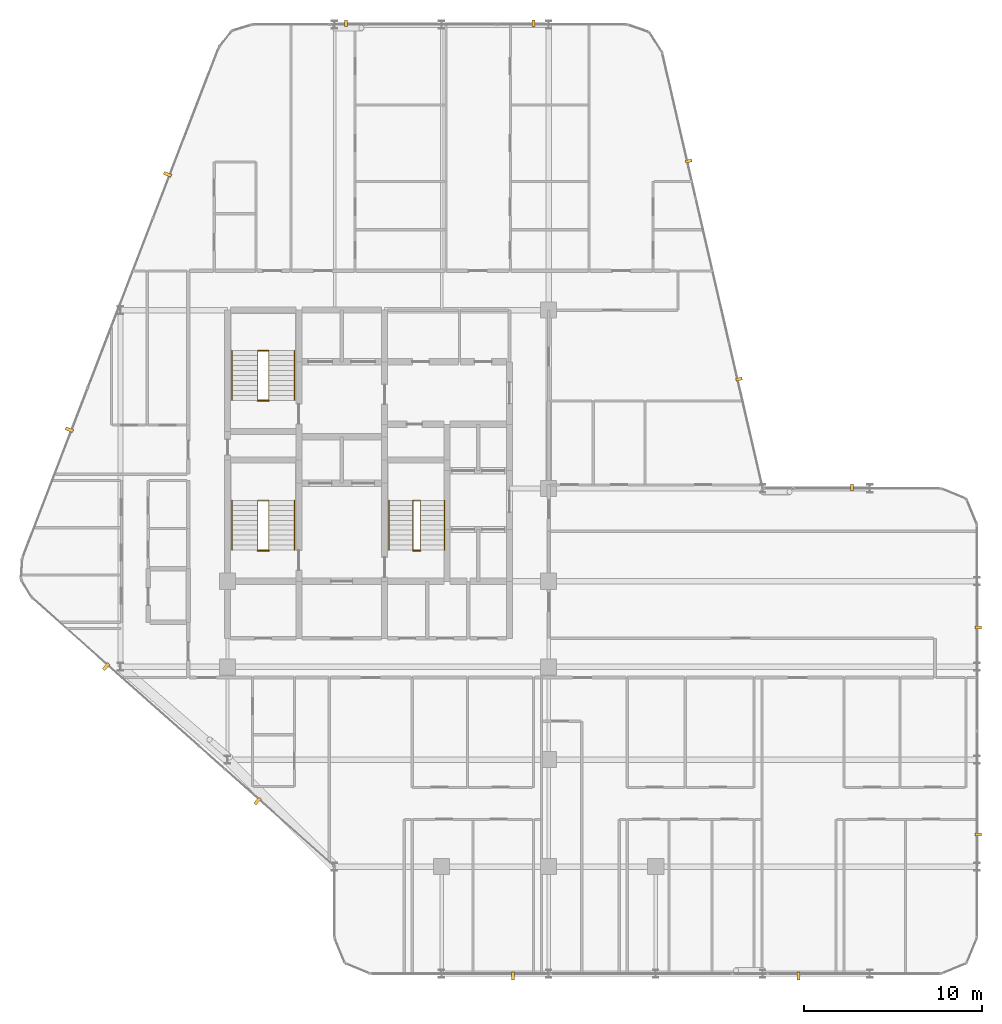
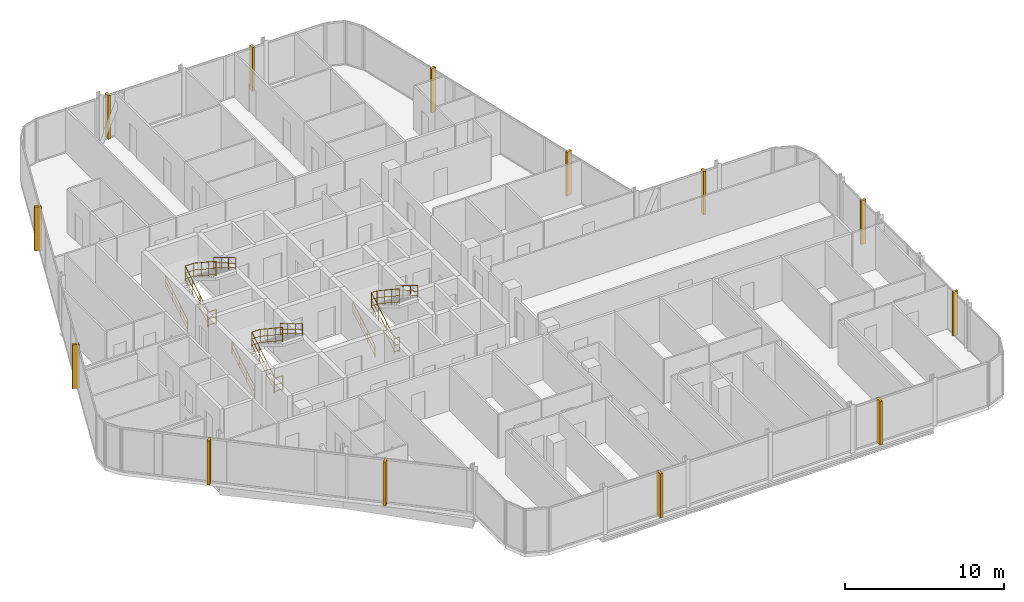
# One storey, part 29 of 29: 13 coverings, 12 railings.
"""IFC4 building model written with IfcOpenShell, lengths in metres."""

from ifc_helpers import new_model, si_unit, direction, frame, origin, origin_2d, place, context, subcontext, project, spatial, rectangle, circle, extrude, material, layer, layer_set, type_object, element, save


model = new_model("IFC4")

# Units and contexts
model_context = context("Model", 3, precision=1e-05, world=origin(), true_north=direction((0.0, 1.0)))
body_context = subcontext(model_context, "Body", "Model", "MODEL_VIEW")
ifc_project = project(units=[si_unit("LENGTHUNIT", "METRE"), si_unit("AREAUNIT", "SQUARE_METRE"), si_unit("VOLUMEUNIT", "CUBIC_METRE"), si_unit("PLANEANGLEUNIT", "RADIAN"), si_unit("MASSUNIT", "GRAM", prefix="KILO")], contexts=[model_context])

# Site, building, storey
site_placement = place(None, origin())
site = spatial("IfcSite", under=ifc_project, at=site_placement, CompositionType="ELEMENT")
building_placement = place(site_placement, origin())
building = spatial("IfcBuilding", under=site, at=building_placement, Name="Keshet Zoharim Tower", CompositionType="ELEMENT")
storey_placement = place(building_placement, frame((0.0, 0.0, 180.199951171875)))
storey = spatial("IfcBuildingStorey", under=building, at=storey_placement, Name="L44", CompositionType="ELEMENT", Elevation=180.199951171875)

# Coverings
ifc_material_1 = material(Name="Concrete C50/60 precast", Category="concrete")
covering_type_1 = type_object("IfcCoveringType", Name="FIN-SOL-360", PredefinedType="CLADDING", material=ifc_material_1)
for number, where, z_axis, x_axis, name in (
    (1, (57.080078125, 20.10009765625, 0.0), (0.0, 0.0, 1.0), (0.0, -1.0, 0.0), "L44 Vertical Precast Solar Fin 01"),
    (2, (57.080078125, 8.5, 0.0), (0.0, 0.0, 1.0), (0.0, -1.0, 0.0), "L44 Vertical Precast Solar Fin 02"),
    (3, (21.633056640625, 53.97998046875, 0.0), (0.0, 0.0, 1.0), (1.0, 0.0, 0.0), "L44 Vertical Precast Solar Fin 09"),
    (4, (32.14990234375, 53.97998046875, 0.0), (0.0, 0.0, 1.0), (1.0, 0.0, 0.0), "L44 Vertical Precast Solar Fin 10"),
    (5, (40.845947265625, 46.2548828125, 0.0), (0.0, 0.0, 1.0), (0.224847864369, -0.974393882313, 0.0), "L44 Vertical Precast Solar Fin 11"),
    (6, (43.6669921875, 34.030029296875, 0.0), (0.0, 0.0, 1.0), (0.224847864369, -0.974393882313, 0.0), "L44 Vertical Precast Solar Fin 12"),
    (7, (50.0, 27.97998046875, 0.0), (0.0, 0.0, 1.0), (1.0, 0.0, 0.0), "L44 Vertical Precast Solar Fin 13"),
):
    element("IfcCovering", number, at=place(storey_placement, frame(where, z_axis=z_axis, x_axis=x_axis)), inside=storey, type_object=covering_type_1, Name=name, PredefinedType="CLADDING", context=body_context, shape_type="SweptSolid", body=[
        extrude(rectangle(XDim=0.159912109375, YDim=0.360107421875, at=origin_2d()), origin(), (0.0, 0.0, 1.0), 3.3798828125),
    ])
covering_type_2 = type_object("IfcCoveringType", Name="FIN-SOL-450", PredefinedType="CLADDING", material=ifc_material_1)
for number, where, z_axis, x_axis, name in (
    (8, (47.0, 0.574951171875, 0.0), (0.0, 0.0, 1.0), (-1.0, 0.0, 0.0), "L44 Vertical Precast Solar Fin 03"),
    (9, (31.0, 0.574951171875, 0.0), (0.0, 0.0, 1.0), (-1.0, 0.0, 0.0), "L44 Vertical Precast Solar Fin 04"),
    (10, (16.676025390625, 10.376953125, 0.0), (0.0, 0.0, 1.0), (-0.747409318679, 0.664363838836, 0.0), "L44 Vertical Precast Solar Fin 05"),
    (11, (8.193115234375, 17.9169921875, 0.0), (0.0, 0.0, 1.0), (-0.747409318679, 0.664363838836, 0.0), "L44 Vertical Precast Solar Fin 06"),
    (12, (6.133056640625, 31.194091796875, 0.0), (0.0, 0.0, 1.0), (0.358990003907, 0.933341404361, 0.0), "L44 Vertical Precast Solar Fin 07"),
    (13, (11.637939453125, 45.507080078125, 0.0), (0.0, 0.0, 1.0), (0.358990003907, 0.933341404361, 0.0), "L44 Vertical Precast Solar Fin 08"),
):
    element("IfcCovering", number, at=place(storey_placement, frame(where, z_axis=z_axis, x_axis=x_axis)), inside=storey, type_object=covering_type_2, Name=name, PredefinedType="CLADDING", context=body_context, shape_type="SweptSolid", body=[
        extrude(rectangle(XDim=0.179931640625, YDim=0.449951171875, at=origin_2d()), origin(), (0.0, 0.0, 1.0), 3.3798828125),
    ])

# Railings
ifc_material_2 = material(Name="Steel S355", Category="steel")
ifc_layer_1 = layer(ifc_material_2, 0.050048828125)
ifc_layer_set_1 = layer_set([ifc_layer_1], Name="Steel S355")
railing_type_1 = type_object("IfcRailingType", Name="RL-HND-092", PredefinedType="HANDRAIL", material=ifc_layer_set_1)
railing_1_placement = place(storey_placement, frame((15.239990234375, 24.43994140625, 0.168212890625)))
element("IfcRailing", 14, at=railing_1_placement, inside=storey, type_object=railing_type_1, Name="L44 ST-01 Flight 1 Wall Handrail", PredefinedType="HANDRAIL", context=body_context, shape_type="SweptSolid", body=[
    extrude(circle(Radius=0.02392578125, at=origin_2d()), frame((0.0, 0.0, 0.89599609375), z_axis=(0.0, 0.857242210791, 0.514913383045), x_axis=(-1.0, 0.0, 0.0)), (0.0, 0.0, 1.0), 3.266357421875),
    extrude(circle(Radius=0.01611328125, at=origin_2d()), frame((0.0, 0.0, 0.478271484375), z_axis=(0.0, 0.857242210791, 0.514913383045), x_axis=(-1.0, 0.0, 0.0)), (0.0, 0.0, 1.0), 3.266357421875),
    extrude(circle(Radius=0.01611328125, at=origin_2d()), frame((0.0, 0.0, 0.1201171875), z_axis=(0.0, 0.857242210791, 0.514913383045), x_axis=(-1.0, 0.0, 0.0)), (0.0, 0.0, 1.0), 3.266357421875),
    extrude(circle(Radius=0.02099609375, at=origin_2d()), origin(), (0.0, 0.0, 1.0), 0.871826171875),
    extrude(circle(Radius=0.02099609375, at=origin_2d()), frame((0.0, 0.933349609375, 0.560546875)), (0.0, 0.0, 1.0), 0.871826171875),
    extrude(circle(Radius=0.02099609375, at=origin_2d()), frame((0.0, 1.86669921875, 1.121337890625)), (0.0, 0.0, 1.0), 0.871826171875),
    extrude(circle(Radius=0.02099609375, at=origin_2d()), frame((0.0, 2.800048828125, 1.681884765625)), (0.0, 0.0, 1.0), 0.871826171875),
])
railing_2_placement = place(storey_placement, frame((18.760009765625, 27.239990234375, 2.018310546875)))
element("IfcRailing", 15, at=railing_2_placement, inside=storey, type_object=railing_type_1, Name="L44 ST-01 Flight 2 Wall Handrail", PredefinedType="HANDRAIL", context=body_context, shape_type="SweptSolid", body=[
    extrude(circle(Radius=0.02392578125, at=origin_2d()), frame((0.0, 0.0, 0.89599609375), z_axis=(0.0, -0.857275202839, 0.514858452973), x_axis=(1.0, 0.0, 0.0)), (0.0, 0.0, 1.0), 3.26611328125),
    extrude(circle(Radius=0.01611328125, at=origin_2d()), frame((0.0, 0.0, 0.478271484375), z_axis=(0.0, -0.857275202839, 0.514858452973), x_axis=(1.0, 0.0, 0.0)), (0.0, 0.0, 1.0), 3.26611328125),
    extrude(circle(Radius=0.01611328125, at=origin_2d()), frame((0.0, 0.0, 0.1201171875), z_axis=(0.0, -0.857275202839, 0.514858452973), x_axis=(1.0, 0.0, 0.0)), (0.0, 0.0, 1.0), 3.26611328125),
    extrude(circle(Radius=0.02099609375, at=origin_2d()), origin(), (0.0, 0.0, 1.0), 0.871826171875),
    extrude(circle(Radius=0.02099609375, at=origin_2d()), frame((0.0, -0.933349609375, 0.560546875)), (0.0, 0.0, 1.0), 0.871826171875),
    extrude(circle(Radius=0.02099609375, at=origin_2d()), frame((0.0, -1.86669921875, 1.12109375)), (0.0, 0.0, 1.0), 0.871826171875),
    extrude(circle(Radius=0.02099609375, at=origin_2d()), frame((0.0, -2.800048828125, 1.681640625)), (0.0, 0.0, 1.0), 0.871826171875),
])
railing_3_placement = place(storey_placement, frame((15.239990234375, 32.840087890625, 0.168212890625)))
element("IfcRailing", 16, at=railing_3_placement, inside=storey, type_object=railing_type_1, Name="L44 ST-02 Flight 1 Wall Handrail", PredefinedType="HANDRAIL", context=body_context, shape_type="SweptSolid", body=[
    extrude(circle(Radius=0.02392578125, at=origin_2d()), frame((0.0, 0.0, 0.89599609375), z_axis=(0.0, 0.857222391501, 0.514946377315), x_axis=(-1.0, 0.0, 0.0)), (0.0, 0.0, 1.0), 3.26611328125),
    extrude(circle(Radius=0.01611328125, at=origin_2d()), frame((0.0, 0.0, 0.478271484375), z_axis=(0.0, 0.857222391501, 0.514946377315), x_axis=(-1.0, 0.0, 0.0)), (0.0, 0.0, 1.0), 3.26611328125),
    extrude(circle(Radius=0.01611328125, at=origin_2d()), frame((0.0, 0.0, 0.1201171875), z_axis=(0.0, 0.857222391501, 0.514946377315), x_axis=(-1.0, 0.0, 0.0)), (0.0, 0.0, 1.0), 3.26611328125),
    extrude(circle(Radius=0.02099609375, at=origin_2d()), origin(), (0.0, 0.0, 1.0), 0.871826171875),
    extrude(circle(Radius=0.02099609375, at=origin_2d()), frame((0.0, 0.933349609375, 0.560546875)), (0.0, 0.0, 1.0), 0.871826171875),
    extrude(circle(Radius=0.02099609375, at=origin_2d()), frame((0.0, 1.866455078125, 1.121337890625)), (0.0, 0.0, 1.0), 0.871826171875),
    extrude(circle(Radius=0.02099609375, at=origin_2d()), frame((0.0, 2.7998046875, 1.681884765625)), (0.0, 0.0, 1.0), 0.871826171875),
])
railing_4_placement = place(storey_placement, frame((18.760009765625, 35.639892578125, 2.018310546875)))
element("IfcRailing", 17, at=railing_4_placement, inside=storey, type_object=railing_type_1, Name="L44 ST-02 Flight 2 Wall Handrail", PredefinedType="HANDRAIL", context=body_context, shape_type="SweptSolid", body=[
    extrude(circle(Radius=0.02392578125, at=origin_2d()), frame((0.0, 0.0, 0.89599609375), z_axis=(0.0, -0.857255387014, 0.514891446264), x_axis=(1.0, 0.0, 0.0)), (0.0, 0.0, 1.0), 3.26611328125),
    extrude(circle(Radius=0.01611328125, at=origin_2d()), frame((0.0, 0.0, 0.478271484375), z_axis=(0.0, -0.857255387014, 0.514891446264), x_axis=(1.0, 0.0, 0.0)), (0.0, 0.0, 1.0), 3.26611328125),
    extrude(circle(Radius=0.01611328125, at=origin_2d()), frame((0.0, 0.0, 0.1201171875), z_axis=(0.0, -0.857255387014, 0.514891446264), x_axis=(1.0, 0.0, 0.0)), (0.0, 0.0, 1.0), 3.26611328125),
    extrude(circle(Radius=0.02099609375, at=origin_2d()), origin(), (0.0, 0.0, 1.0), 0.871826171875),
    extrude(circle(Radius=0.02099609375, at=origin_2d()), frame((0.0, -0.933349609375, 0.560546875)), (0.0, 0.0, 1.0), 0.871826171875),
    extrude(circle(Radius=0.02099609375, at=origin_2d()), frame((0.0, -1.866455078125, 1.12109375)), (0.0, 0.0, 1.0), 0.871826171875),
    extrude(circle(Radius=0.02099609375, at=origin_2d()), frame((0.0, -2.7998046875, 1.681640625)), (0.0, 0.0, 1.0), 0.871826171875),
])
railing_5_placement = place(storey_placement, frame((24.0400390625, 24.43994140625, 0.168212890625)))
element("IfcRailing", 18, at=railing_5_placement, inside=storey, type_object=railing_type_1, Name="L44 ST-03 Flight 1 Wall Handrail", PredefinedType="HANDRAIL", context=body_context, shape_type="SweptSolid", body=[
    extrude(circle(Radius=0.02392578125, at=origin_2d()), frame((0.0, 0.0, 0.89599609375), z_axis=(0.0, 0.857242210791, 0.514913383045), x_axis=(-1.0, 0.0, 0.0)), (0.0, 0.0, 1.0), 3.266357421875),
    extrude(circle(Radius=0.01611328125, at=origin_2d()), frame((0.0, 0.0, 0.478271484375), z_axis=(0.0, 0.857242210791, 0.514913383045), x_axis=(-1.0, 0.0, 0.0)), (0.0, 0.0, 1.0), 3.266357421875),
    extrude(circle(Radius=0.01611328125, at=origin_2d()), frame((0.0, 0.0, 0.1201171875), z_axis=(0.0, 0.857242210791, 0.514913383045), x_axis=(-1.0, 0.0, 0.0)), (0.0, 0.0, 1.0), 3.266357421875),
    extrude(circle(Radius=0.02099609375, at=origin_2d()), origin(), (0.0, 0.0, 1.0), 0.871826171875),
    extrude(circle(Radius=0.02099609375, at=origin_2d()), frame((0.0, 0.933349609375, 0.560546875)), (0.0, 0.0, 1.0), 0.871826171875),
    extrude(circle(Radius=0.02099609375, at=origin_2d()), frame((0.0, 1.86669921875, 1.121337890625)), (0.0, 0.0, 1.0), 0.871826171875),
    extrude(circle(Radius=0.02099609375, at=origin_2d()), frame((0.0, 2.800048828125, 1.681884765625)), (0.0, 0.0, 1.0), 0.871826171875),
])
railing_6_placement = place(storey_placement, frame((27.159912109375, 27.239990234375, 2.018310546875)))
element("IfcRailing", 19, at=railing_6_placement, inside=storey, type_object=railing_type_1, Name="L44 ST-03 Flight 2 Wall Handrail", PredefinedType="HANDRAIL", context=body_context, shape_type="SweptSolid", body=[
    extrude(circle(Radius=0.02392578125, at=origin_2d()), frame((0.0, 0.0, 0.89599609375), z_axis=(0.0, -0.857275202839, 0.514858452973), x_axis=(1.0, 0.0, 0.0)), (0.0, 0.0, 1.0), 3.26611328125),
    extrude(circle(Radius=0.01611328125, at=origin_2d()), frame((0.0, 0.0, 0.478271484375), z_axis=(0.0, -0.857275202839, 0.514858452973), x_axis=(1.0, 0.0, 0.0)), (0.0, 0.0, 1.0), 3.26611328125),
    extrude(circle(Radius=0.01611328125, at=origin_2d()), frame((0.0, 0.0, 0.1201171875), z_axis=(0.0, -0.857275202839, 0.514858452973), x_axis=(1.0, 0.0, 0.0)), (0.0, 0.0, 1.0), 3.26611328125),
    extrude(circle(Radius=0.02099609375, at=origin_2d()), origin(), (0.0, 0.0, 1.0), 0.871826171875),
    extrude(circle(Radius=0.02099609375, at=origin_2d()), frame((0.0, -0.933349609375, 0.560546875)), (0.0, 0.0, 1.0), 0.871826171875),
    extrude(circle(Radius=0.02099609375, at=origin_2d()), frame((0.0, -1.86669921875, 1.12109375)), (0.0, 0.0, 1.0), 0.871826171875),
    extrude(circle(Radius=0.02099609375, at=origin_2d()), frame((0.0, -2.800048828125, 1.681640625)), (0.0, 0.0, 1.0), 0.871826171875),
])
ifc_layer_2 = layer(ifc_material_2, 0.06005859375)
ifc_layer_set_2 = layer_set([ifc_layer_2], Name="Steel S355")
railing_type_2 = type_object("IfcRailingType", Name="RL-STG-115", PredefinedType="GUARDRAIL", material=ifc_layer_set_2)
railing_7_placement = place(storey_placement, frame((16.68994140625, 24.43994140625, 0.168212890625)))
element("IfcRailing", 20, at=railing_7_placement, inside=storey, type_object=railing_type_2, Name="L44 ST-01 Inner Well Guardrail", PredefinedType="GUARDRAIL", context=body_context, shape_type="SweptSolid", body=[
    extrude(circle(Radius=0.02392578125, at=origin_2d()), frame((0.0, 0.0, 1.1259765625), z_axis=(0.0, 0.857242210791, 0.514913383045), x_axis=(-1.0, 0.0, 0.0)), (0.0, 0.0, 1.0), 3.266357421875),
    extrude(circle(Radius=0.01611328125, at=origin_2d()), frame((0.0, 0.0, 0.597900390625), z_axis=(0.0, 0.857242210791, 0.514913383045), x_axis=(-1.0, 0.0, 0.0)), (0.0, 0.0, 1.0), 3.266357421875),
    extrude(circle(Radius=0.01611328125, at=origin_2d()), frame((0.0, 0.0, 0.1201171875), z_axis=(0.0, 0.857242210791, 0.514913383045), x_axis=(-1.0, 0.0, 0.0)), (0.0, 0.0, 1.0), 3.266357421875),
    extrude(circle(Radius=0.02392578125, at=origin_2d()), frame((0.0, 2.800048828125, 2.8076171875), z_axis=(1.0, 0.0, 0.0), x_axis=(0.0, 1.0, 0.0)), (0.0, 0.0, 1.0), 0.6201171875),
    extrude(circle(Radius=0.01611328125, at=origin_2d()), frame((0.0, 2.800048828125, 2.27978515625), z_axis=(1.0, 0.0, 0.0), x_axis=(0.0, 1.0, 0.0)), (0.0, 0.0, 1.0), 0.6201171875),
    extrude(circle(Radius=0.01611328125, at=origin_2d()), frame((0.0, 2.800048828125, 1.802001953125), z_axis=(1.0, 0.0, 0.0), x_axis=(0.0, 1.0, 0.0)), (0.0, 0.0, 1.0), 0.6201171875),
    extrude(circle(Radius=0.02392578125, at=origin_2d()), frame((0.6201171875, 2.800048828125, 2.8076171875), z_axis=(0.0, -0.83435981716, 0.551220187865), x_axis=(1.0, 0.0, 0.0)), (0.0, 0.0, 1.0), 3.35595703125),
    extrude(circle(Radius=0.01611328125, at=origin_2d()), frame((0.6201171875, 2.800048828125, 2.27978515625), z_axis=(0.0, -0.83435981716, 0.551220187865), x_axis=(1.0, 0.0, 0.0)), (0.0, 0.0, 1.0), 3.35595703125),
    extrude(circle(Radius=0.01611328125, at=origin_2d()), frame((0.6201171875, 2.800048828125, 1.802001953125), z_axis=(0.0, -0.83435981716, 0.551220187865), x_axis=(1.0, 0.0, 0.0)), (0.0, 0.0, 1.0), 3.35595703125),
    extrude(circle(Radius=0.02099609375, at=origin_2d()), origin(), (0.0, 0.0, 1.0), 1.101806640625),
    extrude(circle(Radius=0.02099609375, at=origin_2d()), frame((0.0, 0.933349609375, 0.560546875)), (0.0, 0.0, 1.0), 1.101806640625),
    extrude(circle(Radius=0.02099609375, at=origin_2d()), frame((0.0, 1.86669921875, 1.121337890625)), (0.0, 0.0, 1.0), 1.101806640625),
    extrude(circle(Radius=0.02099609375, at=origin_2d()), frame((0.0, 2.800048828125, 1.681884765625)), (0.0, 0.0, 1.0), 1.101806640625),
    extrude(circle(Radius=0.02099609375, at=origin_2d()), frame((0.6201171875, 2.800048828125, 1.681884765625)), (0.0, 0.0, 1.0), 1.101806640625),
    extrude(circle(Radius=0.02099609375, at=origin_2d()), frame((0.6201171875, 1.86669921875, 2.298583984375)), (0.0, 0.0, 1.0), 1.101806640625),
    extrude(circle(Radius=0.02099609375, at=origin_2d()), frame((0.6201171875, 0.933349609375, 2.9150390625)), (0.0, 0.0, 1.0), 1.101806640625),
    extrude(circle(Radius=0.02099609375, at=origin_2d()), frame((0.6201171875, 0.0, 3.53173828125)), (0.0, 0.0, 1.0), 1.101806640625),
])
railing_8_placement = place(storey_placement, frame((16.68994140625, 24.409912109375, 0.0)))
element("IfcRailing", 21, at=railing_8_placement, inside=storey, type_object=railing_type_2, Name="L44 ST-01 Stairwell Floor Guardrail", PredefinedType="GUARDRAIL", context=body_context, shape_type="SweptSolid", body=[
    extrude(circle(Radius=0.02392578125, at=origin_2d()), frame((0.0, 0.0, 1.1259765625), z_axis=(1.0, 0.0, 0.0), x_axis=(0.0, 1.0, 0.0)), (0.0, 0.0, 1.0), 0.6201171875),
    extrude(circle(Radius=0.01611328125, at=origin_2d()), frame((0.0, 0.0, 0.597900390625), z_axis=(1.0, 0.0, 0.0), x_axis=(0.0, 1.0, 0.0)), (0.0, 0.0, 1.0), 0.6201171875),
    extrude(circle(Radius=0.01611328125, at=origin_2d()), frame((0.0, 0.0, 0.1201171875), z_axis=(1.0, 0.0, 0.0), x_axis=(0.0, 1.0, 0.0)), (0.0, 0.0, 1.0), 0.6201171875),
    extrude(circle(Radius=0.02099609375, at=origin_2d()), origin(), (0.0, 0.0, 1.0), 1.101806640625),
    extrude(circle(Radius=0.02099609375, at=origin_2d()), frame((0.6201171875, 0.0, 0.0)), (0.0, 0.0, 1.0), 1.101806640625),
])
railing_9_placement = place(storey_placement, frame((16.68994140625, 32.840087890625, 0.168212890625)))
element("IfcRailing", 22, at=railing_9_placement, inside=storey, type_object=railing_type_2, Name="L44 ST-02 Inner Well Guardrail", PredefinedType="GUARDRAIL", context=body_context, shape_type="SweptSolid", body=[
    extrude(circle(Radius=0.02392578125, at=origin_2d()), frame((0.0, 0.0, 1.1259765625), z_axis=(0.0, 0.857222391501, 0.514946377315), x_axis=(-1.0, 0.0, 0.0)), (0.0, 0.0, 1.0), 3.26611328125),
    extrude(circle(Radius=0.01611328125, at=origin_2d()), frame((0.0, 0.0, 0.597900390625), z_axis=(0.0, 0.857222391501, 0.514946377315), x_axis=(-1.0, 0.0, 0.0)), (0.0, 0.0, 1.0), 3.26611328125),
    extrude(circle(Radius=0.01611328125, at=origin_2d()), frame((0.0, 0.0, 0.1201171875), z_axis=(0.0, 0.857222391501, 0.514946377315), x_axis=(-1.0, 0.0, 0.0)), (0.0, 0.0, 1.0), 3.26611328125),
    extrude(circle(Radius=0.02392578125, at=origin_2d()), frame((0.0, 2.7998046875, 2.8076171875), z_axis=(1.0, 0.0, 0.0), x_axis=(0.0, 1.0, 0.0)), (0.0, 0.0, 1.0), 0.6201171875),
    extrude(circle(Radius=0.01611328125, at=origin_2d()), frame((0.0, 2.7998046875, 2.27978515625), z_axis=(1.0, 0.0, 0.0), x_axis=(0.0, 1.0, 0.0)), (0.0, 0.0, 1.0), 0.6201171875),
    extrude(circle(Radius=0.01611328125, at=origin_2d()), frame((0.0, 2.7998046875, 1.802001953125), z_axis=(1.0, 0.0, 0.0), x_axis=(0.0, 1.0, 0.0)), (0.0, 0.0, 1.0), 0.6201171875),
    extrude(circle(Radius=0.02392578125, at=origin_2d()), frame((0.6201171875, 2.7998046875, 2.8076171875), z_axis=(0.0, -0.834337710781, 0.551253647941), x_axis=(1.0, 0.0, 0.0)), (0.0, 0.0, 1.0), 3.355712890625),
    extrude(circle(Radius=0.01611328125, at=origin_2d()), frame((0.6201171875, 2.7998046875, 2.27978515625), z_axis=(0.0, -0.834337710781, 0.551253647941), x_axis=(1.0, 0.0, 0.0)), (0.0, 0.0, 1.0), 3.355712890625),
    extrude(circle(Radius=0.01611328125, at=origin_2d()), frame((0.6201171875, 2.7998046875, 1.802001953125), z_axis=(0.0, -0.834337710781, 0.551253647941), x_axis=(1.0, 0.0, 0.0)), (0.0, 0.0, 1.0), 3.355712890625),
    extrude(circle(Radius=0.02099609375, at=origin_2d()), origin(), (0.0, 0.0, 1.0), 1.101806640625),
    extrude(circle(Radius=0.02099609375, at=origin_2d()), frame((0.0, 0.933349609375, 0.560546875)), (0.0, 0.0, 1.0), 1.101806640625),
    extrude(circle(Radius=0.02099609375, at=origin_2d()), frame((0.0, 1.866455078125, 1.121337890625)), (0.0, 0.0, 1.0), 1.101806640625),
    extrude(circle(Radius=0.02099609375, at=origin_2d()), frame((0.0, 2.7998046875, 1.681884765625)), (0.0, 0.0, 1.0), 1.101806640625),
    extrude(circle(Radius=0.02099609375, at=origin_2d()), frame((0.6201171875, 2.7998046875, 1.681884765625)), (0.0, 0.0, 1.0), 1.101806640625),
    extrude(circle(Radius=0.02099609375, at=origin_2d()), frame((0.6201171875, 1.866455078125, 2.298583984375)), (0.0, 0.0, 1.0), 1.101806640625),
    extrude(circle(Radius=0.02099609375, at=origin_2d()), frame((0.6201171875, 0.933349609375, 2.9150390625)), (0.0, 0.0, 1.0), 1.101806640625),
    extrude(circle(Radius=0.02099609375, at=origin_2d()), frame((0.6201171875, 0.0, 3.53173828125)), (0.0, 0.0, 1.0), 1.101806640625),
])
railing_10_placement = place(storey_placement, frame((16.68994140625, 32.81005859375, 0.0)))
element("IfcRailing", 23, at=railing_10_placement, inside=storey, type_object=railing_type_2, Name="L44 ST-02 Stairwell Floor Guardrail", PredefinedType="GUARDRAIL", context=body_context, shape_type="SweptSolid", body=[
    extrude(circle(Radius=0.02392578125, at=origin_2d()), frame((0.0, 0.0, 1.1259765625), z_axis=(1.0, 0.0, 0.0), x_axis=(0.0, 1.0, 0.0)), (0.0, 0.0, 1.0), 0.6201171875),
    extrude(circle(Radius=0.01611328125, at=origin_2d()), frame((0.0, 0.0, 0.597900390625), z_axis=(1.0, 0.0, 0.0), x_axis=(0.0, 1.0, 0.0)), (0.0, 0.0, 1.0), 0.6201171875),
    extrude(circle(Radius=0.01611328125, at=origin_2d()), frame((0.0, 0.0, 0.1201171875), z_axis=(1.0, 0.0, 0.0), x_axis=(0.0, 1.0, 0.0)), (0.0, 0.0, 1.0), 0.6201171875),
    extrude(circle(Radius=0.02099609375, at=origin_2d()), origin(), (0.0, 0.0, 1.0), 1.101806640625),
    extrude(circle(Radius=0.02099609375, at=origin_2d()), frame((0.6201171875, 0.0, 0.0)), (0.0, 0.0, 1.0), 1.101806640625),
])
railing_11_placement = place(storey_placement, frame((25.39990234375, 24.43994140625, 0.168212890625)))
element("IfcRailing", 24, at=railing_11_placement, inside=storey, type_object=railing_type_2, Name="L44 ST-03 Inner Well Guardrail", PredefinedType="GUARDRAIL", context=body_context, shape_type="SweptSolid", body=[
    extrude(circle(Radius=0.02392578125, at=origin_2d()), frame((0.0, 0.0, 1.1259765625), z_axis=(0.0, 0.857242210791, 0.514913383045), x_axis=(-1.0, 0.0, 0.0)), (0.0, 0.0, 1.0), 3.266357421875),
    extrude(circle(Radius=0.01611328125, at=origin_2d()), frame((0.0, 0.0, 0.597900390625), z_axis=(0.0, 0.857242210791, 0.514913383045), x_axis=(-1.0, 0.0, 0.0)), (0.0, 0.0, 1.0), 3.266357421875),
    extrude(circle(Radius=0.01611328125, at=origin_2d()), frame((0.0, 0.0, 0.1201171875), z_axis=(0.0, 0.857242210791, 0.514913383045), x_axis=(-1.0, 0.0, 0.0)), (0.0, 0.0, 1.0), 3.266357421875),
    extrude(circle(Radius=0.02392578125, at=origin_2d()), frame((0.0, 2.800048828125, 2.8076171875), z_axis=(1.0, 0.0, 0.0), x_axis=(0.0, 1.0, 0.0)), (0.0, 0.0, 1.0), 0.400146484375),
    extrude(circle(Radius=0.01611328125, at=origin_2d()), frame((0.0, 2.800048828125, 2.27978515625), z_axis=(1.0, 0.0, 0.0), x_axis=(0.0, 1.0, 0.0)), (0.0, 0.0, 1.0), 0.400146484375),
    extrude(circle(Radius=0.01611328125, at=origin_2d()), frame((0.0, 2.800048828125, 1.802001953125), z_axis=(1.0, 0.0, 0.0), x_axis=(0.0, 1.0, 0.0)), (0.0, 0.0, 1.0), 0.400146484375),
    extrude(circle(Radius=0.02392578125, at=origin_2d()), frame((0.400146484375, 2.800048828125, 2.8076171875), z_axis=(0.0, -0.83435981716, 0.551220187865), x_axis=(1.0, 0.0, 0.0)), (0.0, 0.0, 1.0), 3.35595703125),
    extrude(circle(Radius=0.01611328125, at=origin_2d()), frame((0.400146484375, 2.800048828125, 2.27978515625), z_axis=(0.0, -0.83435981716, 0.551220187865), x_axis=(1.0, 0.0, 0.0)), (0.0, 0.0, 1.0), 3.35595703125),
    extrude(circle(Radius=0.01611328125, at=origin_2d()), frame((0.400146484375, 2.800048828125, 1.802001953125), z_axis=(0.0, -0.83435981716, 0.551220187865), x_axis=(1.0, 0.0, 0.0)), (0.0, 0.0, 1.0), 3.35595703125),
    extrude(circle(Radius=0.02099609375, at=origin_2d()), origin(), (0.0, 0.0, 1.0), 1.101806640625),
    extrude(circle(Radius=0.02099609375, at=origin_2d()), frame((0.0, 0.933349609375, 0.560546875)), (0.0, 0.0, 1.0), 1.101806640625),
    extrude(circle(Radius=0.02099609375, at=origin_2d()), frame((0.0, 1.86669921875, 1.121337890625)), (0.0, 0.0, 1.0), 1.101806640625),
    extrude(circle(Radius=0.02099609375, at=origin_2d()), frame((0.0, 2.800048828125, 1.681884765625)), (0.0, 0.0, 1.0), 1.101806640625),
    extrude(circle(Radius=0.02099609375, at=origin_2d()), frame((0.400146484375, 2.800048828125, 1.681884765625)), (0.0, 0.0, 1.0), 1.101806640625),
    extrude(circle(Radius=0.02099609375, at=origin_2d()), frame((0.400146484375, 1.86669921875, 2.298583984375)), (0.0, 0.0, 1.0), 1.101806640625),
    extrude(circle(Radius=0.02099609375, at=origin_2d()), frame((0.400146484375, 0.933349609375, 2.9150390625)), (0.0, 0.0, 1.0), 1.101806640625),
    extrude(circle(Radius=0.02099609375, at=origin_2d()), frame((0.400146484375, 0.0, 3.53173828125)), (0.0, 0.0, 1.0), 1.101806640625),
])
railing_12_placement = place(storey_placement, frame((25.39990234375, 24.409912109375, 0.0)))
element("IfcRailing", 25, at=railing_12_placement, inside=storey, type_object=railing_type_2, Name="L44 ST-03 Stairwell Floor Guardrail", PredefinedType="GUARDRAIL", context=body_context, shape_type="SweptSolid", body=[
    extrude(circle(Radius=0.02392578125, at=origin_2d()), frame((0.0, 0.0, 1.1259765625), z_axis=(1.0, 0.0, 0.0), x_axis=(0.0, 1.0, 0.0)), (0.0, 0.0, 1.0), 0.400146484375),
    extrude(circle(Radius=0.01611328125, at=origin_2d()), frame((0.0, 0.0, 0.597900390625), z_axis=(1.0, 0.0, 0.0), x_axis=(0.0, 1.0, 0.0)), (0.0, 0.0, 1.0), 0.400146484375),
    extrude(circle(Radius=0.01611328125, at=origin_2d()), frame((0.0, 0.0, 0.1201171875), z_axis=(1.0, 0.0, 0.0), x_axis=(0.0, 1.0, 0.0)), (0.0, 0.0, 1.0), 0.400146484375),
    extrude(circle(Radius=0.02099609375, at=origin_2d()), origin(), (0.0, 0.0, 1.0), 1.101806640625),
    extrude(circle(Radius=0.02099609375, at=origin_2d()), frame((0.400146484375, 0.0, 0.0)), (0.0, 0.0, 1.0), 1.101806640625),
])

save(model, "model.ifc")
